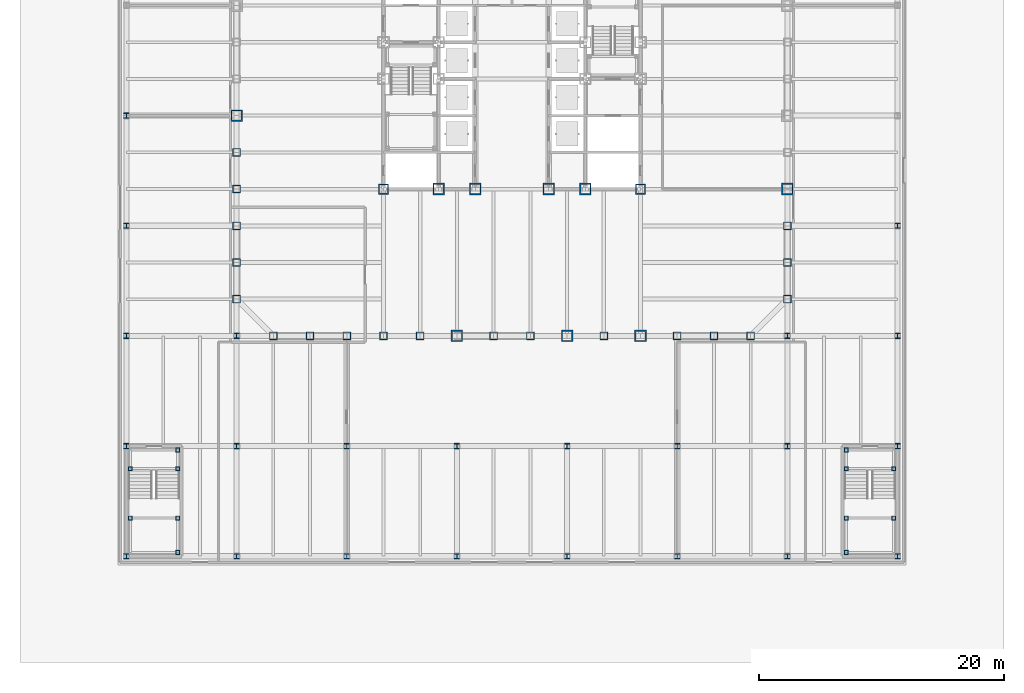
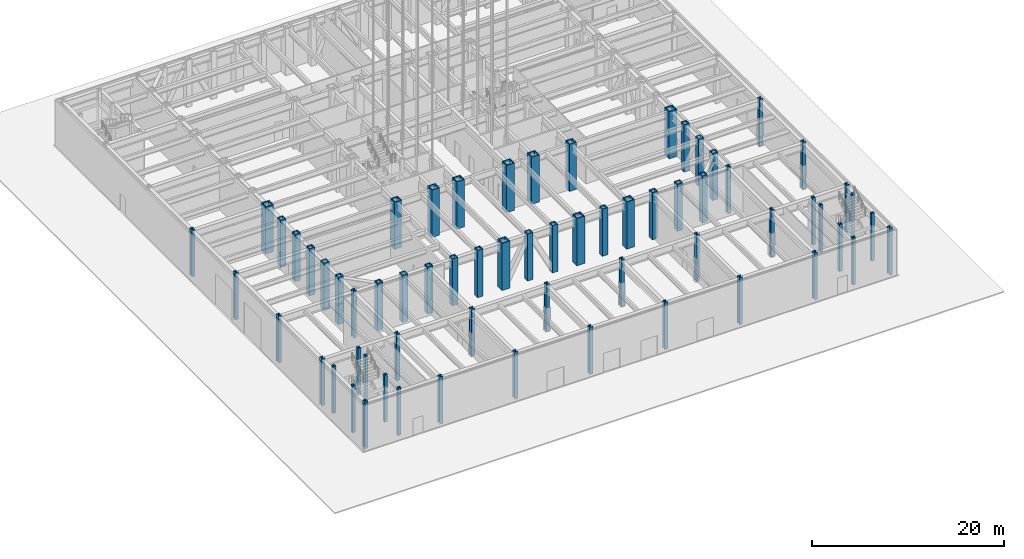
# One storey, part 1 of 35: 65 columns.
"""IFC4 building model written with IfcOpenShell, lengths in metres."""

import ifcopenshell
import ifcopenshell.guid

model = None  # the IFC model being written
_history = None  # IfcOwnerHistory: only IFC2X3 demands one
_inside = {}  # id of a spatial element -> (the spatial element, [elements in it])
_under = {}  # id of a project, library or spatial element -> (it, [spatial elements below it])
_declared = {}  # id of a project -> (the project, [libraries it declares])
_typed = {}  # id of a type object -> (the type object, [elements of that type])
_made_of = {}  # id of a material, layer set ... -> (it, [elements and type objects made of it])


def new_model(schema):
    """Start an empty IFC model of exactly this schema.

    Asked for "IFC4X3", IfcOpenShell would pick the latest addendum, in which some entities
    have other attributes; the version numbers below select the first issue.
    IFC2X3 requires an IfcOwnerHistory on every rooted entity: one is made here for all.
    """
    global model, _history
    if schema == "IFC4X3":
        model = ifcopenshell.file(schema_version=(4, 3, 0, 0))
    else:
        model = ifcopenshell.file(schema=schema)
    _inside.clear()
    _under.clear()
    _declared.clear()
    _typed.clear()
    _made_of.clear()
    _history = None
    if model.schema == "IFC2X3":
        org = make("IfcOrganization", Name="unknown")
        user = make(
            "IfcPersonAndOrganization",
            ThePerson=make("IfcPerson", FamilyName="unknown"),
            TheOrganization=org,
        )
        app = make(
            "IfcApplication",
            ApplicationDeveloper=org,
            Version="unknown",
            ApplicationFullName="unknown",
            ApplicationIdentifier="unknown",
        )
        _history = make(
            "IfcOwnerHistory",
            OwningUser=user,
            OwningApplication=app,
            ChangeAction="ADDED",
            CreationDate=0,
        )
    return model


def make(cls, **values):
    """One entity of the class cls with the attributes given. An attribute that is None is left unset."""
    return model.create_entity(
        cls, **{name: value for name, value in values.items() if value is not None}
    )


def rooted(cls, **values):
    """An entity with a GlobalId (a new one), such as an element, a storey or a relation."""
    return make(cls, GlobalId=ifcopenshell.guid.new(), OwnerHistory=_history, **values)


def si_unit(unit_type, name, prefix=None):
    """IfcSIUnit, for example si_unit("LENGTHUNIT", "METRE", prefix="MILLI")."""
    return make("IfcSIUnit", UnitType=unit_type, Prefix=prefix, Name=name)


def assignment(units):
    """IfcUnitAssignment: the units of a project."""
    return None if units is None else make("IfcUnitAssignment", Units=units)


def point(xyz):
    """IfcCartesianPoint."""
    return None if xyz is None else make("IfcCartesianPoint", Coordinates=xyz)


def direction(xyz):
    """IfcDirection."""
    return None if xyz is None else make("IfcDirection", DirectionRatios=xyz)


def frame(location, z_axis=None, x_axis=None):
    """IfcAxis2Placement3D, a coordinate frame: its origin and axes. An axis left out is left unset."""
    return make(
        "IfcAxis2Placement3D",
        Location=point(location),
        Axis=direction(z_axis),
        RefDirection=direction(x_axis),
    )


def frame_2d(location, x_axis=None):
    """IfcAxis2Placement2D, a coordinate frame in the plane: its origin and x axis."""
    return make(
        "IfcAxis2Placement2D", Location=point(location), RefDirection=direction(x_axis)
    )


def origin():
    """The frame at (0, 0, 0) with its axes left unset."""
    return frame((0.0, 0.0, 0.0))


def origin_2d():
    """The frame at (0, 0) in the plane with its x axis left unset."""
    return frame_2d((0.0, 0.0))


def place(relative_to, where):
    """IfcLocalPlacement: puts the frame where relative to a parent placement (None: the world)."""
    return make(
        "IfcLocalPlacement", PlacementRelTo=relative_to, RelativePlacement=where
    )


def context(
    kind, dimensions, precision=None, world=None, true_north=None, identifier=None
):
    """IfcGeometricRepresentationContext, for example the 3D "Model" context."""
    return make(
        "IfcGeometricRepresentationContext",
        ContextIdentifier=identifier,
        ContextType=kind,
        CoordinateSpaceDimension=dimensions,
        Precision=precision,
        WorldCoordinateSystem=world,
        TrueNorth=true_north,
    )


def subcontext(parent, identifier, kind, view, scale=None):
    """IfcGeometricRepresentationSubContext, for example "Body" below "Model"."""
    return make(
        "IfcGeometricRepresentationSubContext",
        ContextIdentifier=identifier,
        ContextType=kind,
        ParentContext=parent,
        TargetScale=scale,
        TargetView=view,
    )


def project(units=None, contexts=None):
    """IfcProject with its units and contexts."""
    return rooted(
        "IfcProject",
        Name="project",
        RepresentationContexts=contexts,
        UnitsInContext=assignment(units),
    )


def spatial(cls, under=None, at=None, **own):
    """A site, building, storey or space (cls), placed at a placement, below another one or the project."""
    s = rooted(cls, ObjectPlacement=at, **own)
    if under is not None:
        _under.setdefault(under.id(), (under, []))[1].append(s)
    return s


def profile(cls, at=None, kind="AREA", **sizes):
    """A parametric profile (cls). Its sizes go by their IFC names, for example OverallWidth=200.0."""
    return make(cls, ProfileType=kind, Position=at, **sizes)


def hollow_rectangle(**sizes):
    """IfcRectangleHollowProfileDef."""
    return profile("IfcRectangleHollowProfileDef", **sizes)


def i_section(**sizes):
    """IfcIShapeProfileDef."""
    return profile("IfcIShapeProfileDef", **sizes)


def extrude(swept, where, along, depth):
    """IfcExtrudedAreaSolid: the profile swept, set in the frame where, extruded along a direction by depth."""
    return make(
        "IfcExtrudedAreaSolid",
        SweptArea=swept,
        Position=where,
        ExtrudedDirection=direction(along),
        Depth=depth,
    )


def shape(context_of_items, identifier, shape_type, items):
    """IfcShapeRepresentation: the items that make up one representation, for example the "Body"."""
    return make(
        "IfcShapeRepresentation",
        ContextOfItems=context_of_items,
        RepresentationIdentifier=identifier,
        RepresentationType=shape_type,
        Items=items,
    )


def material(Name=None, Category=None):
    """IfcMaterial."""
    return make("IfcMaterial", Name=Name, Category=Category)


def material_profile(
    of_material, cross_section, Name=None, Category=None, Priority=None
):
    """IfcMaterialProfile: a cross section and its material."""
    return make(
        "IfcMaterialProfile",
        Name=Name,
        Material=of_material,
        Profile=cross_section,
        Priority=Priority,
        Category=Category,
    )


def profile_set(profiles, Name=None, composite=None):
    """IfcMaterialProfileSet."""
    return make(
        "IfcMaterialProfileSet",
        Name=Name,
        MaterialProfiles=profiles,
        CompositeProfile=composite,
    )


def made_of(thing, what):
    """Note that an element or type object is made of a material, layer set ...; save() writes the relation."""
    if what is not None:
        _made_of.setdefault(what.id(), (what, []))[1].append(thing)
    return thing


def type_object(cls, material=None, **own):
    """A type object (cls), such as IfcWallType, which elements share."""
    return made_of(rooted(cls, **own), material)


def element(
    cls,
    number,
    at=None,
    inside=None,
    cuts=None,
    type_object=None,
    material=None,
    context=None,
    identifier="Body",
    shape_type=None,
    held_by="IfcProductDefinitionShape",
    body=None,
    shapes=None,
    **own,
):
    """One element of the class cls, such as IfcWall. Its Tag is "e" and its number.

    at: its placement. inside: the storey or other place that contains it. cuts: it is an
    opening in that element (IfcRelVoidsElement). A single representation is given by context,
    identifier, shape_type and body (its items); several are given by shapes. held_by: the class
    of the entity that holds the representations. save() writes the other relations.
    """
    e = rooted(cls, Tag="e%d" % number, ObjectPlacement=at, **own)
    if body is not None:
        shapes = [shape(context, identifier, shape_type, body)]
    if shapes is not None:
        e.Representation = make(held_by, Representations=shapes)
    if inside is not None:
        _inside.setdefault(inside.id(), (inside, []))[1].append(e)
    if cuts is not None:
        rooted(
            "IfcRelVoidsElement", RelatingBuildingElement=cuts, RelatedOpeningElement=e
        )
    if type_object is not None:
        _typed.setdefault(type_object.id(), (type_object, []))[1].append(e)
    return made_of(e, material)


def aggregate(whole, parts):
    """IfcRelAggregates: a whole, such as a stair, and the parts it consists of."""
    return rooted("IfcRelAggregates", RelatingObject=whole, RelatedObjects=parts)


def save(model, path):
    """Write the relations noted so far, then the file.

    IfcRelAggregates (storeys below a building ...), IfcRelContainedInSpatialStructure (elements
    in a storey), IfcRelDefinesByType, IfcRelAssociatesMaterial and IfcRelDeclares: one each for
    every whole, place, type object, material and project.
    """
    for whole, parts in _under.values():
        aggregate(whole, parts)
    for where, things in _inside.values():
        rooted(
            "IfcRelContainedInSpatialStructure",
            RelatedElements=things,
            RelatingStructure=where,
        )
    for kind, things in _typed.values():
        rooted("IfcRelDefinesByType", RelatedObjects=things, RelatingType=kind)
    for what, things in _made_of.values():
        rooted("IfcRelAssociatesMaterial", RelatedObjects=things, RelatingMaterial=what)
    for by, libraries in _declared.values():
        rooted("IfcRelDeclares", RelatingContext=by, RelatedDefinitions=libraries)
    model.write(path)


model = new_model("IFC4")

# Units and contexts
model_context = context("Model", 3, precision=1e-05, world=origin(), true_north=direction((0.0, 1.0)))
body_context = subcontext(model_context, "Body", "Model", "MODEL_VIEW")
ifc_project = project(units=[si_unit("LENGTHUNIT", "METRE"), si_unit("AREAUNIT", "SQUARE_METRE"), si_unit("VOLUMEUNIT", "CUBIC_METRE"), si_unit("PLANEANGLEUNIT", "RADIAN"), si_unit("MASSUNIT", "GRAM", prefix="KILO")], contexts=[model_context])

# Site, building, storey
site_placement = place(None, origin())
site = spatial("IfcSite", under=ifc_project, at=site_placement, CompositionType="ELEMENT")
building_placement = place(site_placement, origin())
building = spatial("IfcBuilding", under=site, at=building_placement, Name="Chuquiago Exchange Tower", CompositionType="ELEMENT")
storey_placement = place(building_placement, origin())
storey = spatial("IfcBuildingStorey", under=building, at=storey_placement, Name="L00", CompositionType="ELEMENT", Elevation=0.0)

# Columns
ifc_material_1 = material(Name="Steel ASTM A572 Grade 50", Category="steel")
ifc_material_profile_1 = material_profile(ifc_material_1, hollow_rectangle(XDim=0.64990234375, YDim=0.64990234375, WallThickness=0.06494140625, at=origin_2d()), Name="BOX650X650X65")
ifc_profile_set_1 = profile_set([ifc_material_profile_1], Name="Steel ASTM A572 Grade 50")
column_type_1 = type_object("IfcColumnType", Name="C1 BOX650X650X65", PredefinedType="COLUMN", material=ifc_profile_set_1)
for number, where, z_axis, x_axis, name in (
    (1, (3.0, 0.0, 0.0), (0.0, 0.0, 1.0), (0.0, -1.0, 0.0), "COL-L00-3_0"),
    (2, (6.0, 0.0, 0.0), (0.0, 0.0, 1.0), (0.0, -1.0, 0.0), "COL-L00-6_0"),
    (3, (9.0, 0.0, 0.0), (0.0, 0.0, 1.0), (0.0, -1.0, 0.0), "COL-L00-9_0"),
    (4, (12.0, 0.0, 0.0), (0.0, 0.0, 1.0), (0.0, -1.0, 0.0), "COL-L00-12_0"),
    (5, (15.0, 0.0, 0.0), (0.0, 0.0, 1.0), (0.0, -1.0, 0.0), "COL-L00-15_0"),
    (6, (21.0, 0.0, 0.0), (0.0, 0.0, 1.0), (0.0, -1.0, 0.0), "COL-L00-21_0"),
    (7, (24.0, 0.0, 0.0), (0.0, 0.0, 1.0), (0.0, -1.0, 0.0), "COL-L00-24_0"),
    (8, (30.0, 0.0, 0.0), (0.0, 0.0, 1.0), (0.0, -1.0, 0.0), "COL-L00-30_0"),
    (9, (36.0, 0.0, 0.0), (0.0, 0.0, 1.0), (0.0, -1.0, 0.0), "COL-L00-36_0"),
    (10, (39.0, 0.0, 0.0), (0.0, 0.0, 1.0), (0.0, -1.0, 0.0), "COL-L00-39_0"),
    (11, (42.0, 0.0, 0.0), (0.0, 0.0, 1.0), (0.0, -1.0, 0.0), "COL-L00-42_0"),
    (12, (45.0, 3.0, 0.0), (0.0, 0.0, 1.0), (1.0, 0.0, 0.0), "COL-L00-45_3"),
    (13, (45.0, 6.0, 0.0), (0.0, 0.0, 1.0), (1.0, 0.0, 0.0), "COL-L00-45_6"),
    (14, (45.0, 9.0, 0.0), (0.0, 0.0, 1.0), (1.0, 0.0, 0.0), "COL-L00-45_9"),
    (15, (0.0, 15.0, 0.0), (0.0, 0.0, 1.0), (-1.0, 0.0, 0.0), "COL-L00-0_15"),
    (16, (0.0, 12.0, 0.0), (0.0, 0.0, 1.0), (-1.0, 0.0, 0.0), "COL-L00-0_12"),
    (17, (0.0, 9.0, 0.0), (0.0, 0.0, 1.0), (-1.0, 0.0, 0.0), "COL-L00-0_9"),
    (18, (0.0, 6.0, 0.0), (0.0, 0.0, 1.0), (-1.0, 0.0, 0.0), "COL-L00-0_6"),
    (19, (0.0, 3.0, 0.0), (0.0, 0.0, 1.0), (-1.0, 0.0, 0.0), "COL-L00-0_3"),
):
    element("IfcColumn", number, at=place(storey_placement, frame(where, z_axis=z_axis, x_axis=x_axis)), inside=storey, type_object=column_type_1, Name=name, PredefinedType="COLUMN", context=body_context, shape_type="SweptSolid", body=[
        extrude(hollow_rectangle(XDim=0.64990234375, YDim=0.64990234375, WallThickness=0.06494140625, at=origin_2d()), origin(), (0.0, 0.0, 1.0), 6.0),
    ])
ifc_material_2 = material(Name="Steel ASTM A572 Grade 50", Category="steel")
ifc_material_profile_2 = material_profile(ifc_material_2, hollow_rectangle(XDim=0.949951171875, YDim=0.949951171875, WallThickness=0.094970703125, at=origin_2d()), Name="BOX950X950X95")
ifc_profile_set_2 = profile_set([ifc_material_profile_2], Name="Steel ASTM A572 Grade 50")
column_type_2 = type_object("IfcColumnType", Name="CC1 BOX950X950X95", PredefinedType="COLUMN", material=ifc_profile_set_2)
for number, where, z_axis, x_axis, name in (
    (20, (16.5, 12.0, 0.0), (0.0, 0.0, 1.0), (1.0, 0.0, 0.0), "CCOL-L00-16.5_12"),
    (21, (19.5, 12.0, 0.0), (0.0, 0.0, 1.0), (1.0, 0.0, 0.0), "CCOL-L00-19.5_12"),
    (22, (25.5, 12.0, 0.0), (0.0, 0.0, 1.0), (1.0, 0.0, 0.0), "CCOL-L00-25.5_12"),
    (23, (28.5, 12.0, 0.0), (0.0, 0.0, 1.0), (1.0, 0.0, 0.0), "CCOL-L00-28.5_12"),
):
    element("IfcColumn", number, at=place(storey_placement, frame(where, z_axis=z_axis, x_axis=x_axis)), inside=storey, type_object=column_type_2, Name=name, PredefinedType="COLUMN", context=body_context, shape_type="SweptSolid", body=[
        extrude(hollow_rectangle(XDim=0.949951171875, YDim=0.949951171875, WallThickness=0.094970703125, at=origin_2d()), origin(), (0.0, 0.0, 1.0), 6.0),
    ])
ifc_material_3 = material(Name="Steel ASTM A572 Grade 50", Category="steel")
ifc_material_profile_3 = material_profile(ifc_material_3, hollow_rectangle(XDim=0.85009765625, YDim=0.85009765625, WallThickness=0.0849609375, at=origin_2d()), Name="BOX850X850X85")
ifc_profile_set_3 = profile_set([ifc_material_profile_3], Name="Steel ASTM A572 Grade 50")
column_type_3 = type_object("IfcColumnType", Name="CC6 BOX850X850X85", PredefinedType="COLUMN", material=ifc_profile_set_3)
for number, where, z_axis, x_axis, name in (
    (24, (12.0, 12.0, 0.0), (0.0, 0.0, 1.0), (1.0, 0.0, 0.0), "CCOL-L00-12_12"),
    (25, (33.0, 12.0, 0.0), (0.0, 0.0, 1.0), (1.0, 0.0, 0.0), "CCOL-L00-33_12"),
):
    element("IfcColumn", number, at=place(storey_placement, frame(where, z_axis=z_axis, x_axis=x_axis)), inside=storey, type_object=column_type_3, Name=name, PredefinedType="COLUMN", context=body_context, shape_type="SweptSolid", body=[
        extrude(hollow_rectangle(XDim=0.85009765625, YDim=0.85009765625, WallThickness=0.0849609375, at=origin_2d()), origin(), (0.0, 0.0, 1.0), 6.0),
    ])
ifc_material_4 = material(Name="Steel ASTM A572 Grade 42", Category="steel")
ifc_material_profile_4 = material_profile(ifc_material_4, hollow_rectangle(XDim=0.949951171875, YDim=0.949951171875, WallThickness=0.110107421875, at=origin_2d()), Name="BOX950X950X110")
ifc_profile_set_4 = profile_set([ifc_material_profile_4], Name="Steel ASTM A572 Grade 42")
column_type_4 = type_object("IfcColumnType", Name="CT1 BOX950X950X110", PredefinedType="COLUMN", material=ifc_profile_set_4)
for number, where, z_axis, x_axis, name in (
    (26, (18.0, 0.0, 0.0), (0.0, 0.0, 1.0), (0.0, -1.0, 0.0), "COL-L00-18_0"),
    (27, (27.0, 0.0, 0.0), (0.0, 0.0, 1.0), (0.0, -1.0, 0.0), "COL-L00-27_0"),
    (28, (33.0, 0.0, 0.0), (0.0, 0.0, 1.0), (0.0, -1.0, 0.0), "COL-L00-33_0"),
    (29, (45.0, 12.0, 0.0), (0.0, 0.0, 1.0), (1.0, 0.0, 0.0), "COL-L00-45_12"),
    (30, (0.0, 18.0, 0.0), (0.0, 0.0, 1.0), (-1.0, 0.0, 0.0), "COL-L00-0_18"),
):
    element("IfcColumn", number, at=place(storey_placement, frame(where, z_axis=z_axis, x_axis=x_axis)), inside=storey, type_object=column_type_4, Name=name, PredefinedType="COLUMN", context=body_context, shape_type="SweptSolid", body=[
        extrude(hollow_rectangle(XDim=0.949951171875, YDim=0.949951171875, WallThickness=0.110107421875, at=origin_2d()), origin(), (0.0, 0.0, 1.0), 6.0),
    ])
ifc_material_5 = material(Name="Steel ASTM A992", Category="steel")
ifc_material_profile_5 = material_profile(ifc_material_5, i_section(OverallWidth=0.411376953125, OverallDepth=0.434326171875, WebThickness=0.035888671875, FlangeThickness=0.057373046875, at=origin_2d()), Name="W14X311")
ifc_profile_set_5 = profile_set([ifc_material_profile_5], Name="Steel ASTM A992")
column_type_5 = type_object("IfcColumnType", Name="PC1 W14X311", PredefinedType="COLUMN", material=ifc_profile_set_5)
for number, where, z_axis, x_axis, name in (
    (31, (-9.0, -18.0, 0.0), (0.0, 0.0, 1.0), (1.0, 0.0, 0.0), "PCOL-L00--9_-18"),
    (32, (-9.0, -9.0, 0.0), (0.0, 0.0, 1.0), (1.0, 0.0, 0.0), "PCOL-L00--9_-9"),
    (33, (-9.0, 0.0, 0.0), (0.0, 0.0, 1.0), (1.0, 0.0, 0.0), "PCOL-L00--9_0"),
    (34, (-9.0, 9.0, 0.0), (0.0, 0.0, 1.0), (1.0, 0.0, 0.0), "PCOL-L00--9_9"),
    (35, (-9.0, 18.0, 0.0), (0.0, 0.0, 1.0), (1.0, 0.0, 0.0), "PCOL-L00--9_18"),
    (36, (0.0, -18.0, 0.0), (0.0, 0.0, 1.0), (1.0, 0.0, 0.0), "PCOL-L00-0_-18"),
    (37, (0.0, -9.0, 0.0), (0.0, 0.0, 1.0), (1.0, 0.0, 0.0), "PCOL-L00-0_-9"),
    (38, (0.0, 0.0, 0.0), (0.0, 0.0, 1.0), (1.0, 0.0, 0.0), "PCOL-L00-0_0"),
    (39, (9.0, -18.0, 0.0), (0.0, 0.0, 1.0), (1.0, 0.0, 0.0), "PCOL-L00-9_-18"),
    (40, (9.0, -9.0, 0.0), (0.0, 0.0, 1.0), (1.0, 0.0, 0.0), "PCOL-L00-9_-9"),
    (41, (18.0, -18.0, 0.0), (0.0, 0.0, 1.0), (1.0, 0.0, 0.0), "PCOL-L00-18_-18"),
    (42, (18.0, -9.0, 0.0), (0.0, 0.0, 1.0), (1.0, 0.0, 0.0), "PCOL-L00-18_-9"),
    (43, (27.0, -18.0, 0.0), (0.0, 0.0, 1.0), (1.0, 0.0, 0.0), "PCOL-L00-27_-18"),
    (44, (27.0, -9.0, 0.0), (0.0, 0.0, 1.0), (1.0, 0.0, 0.0), "PCOL-L00-27_-9"),
    (45, (36.0, -18.0, 0.0), (0.0, 0.0, 1.0), (1.0, 0.0, 0.0), "PCOL-L00-36_-18"),
    (46, (36.0, -9.0, 0.0), (0.0, 0.0, 1.0), (1.0, 0.0, 0.0), "PCOL-L00-36_-9"),
    (47, (45.0, -18.0, 0.0), (0.0, 0.0, 1.0), (1.0, 0.0, 0.0), "PCOL-L00-45_-18"),
    (48, (45.0, -9.0, 0.0), (0.0, 0.0, 1.0), (1.0, 0.0, 0.0), "PCOL-L00-45_-9"),
    (49, (45.0, 0.0, 0.0), (0.0, 0.0, 1.0), (1.0, 0.0, 0.0), "PCOL-L00-45_0"),
    (50, (54.0, -18.0, 0.0), (0.0, 0.0, 1.0), (1.0, 0.0, 0.0), "PCOL-L00-54_-18"),
    (51, (54.0, -9.0, 0.0), (0.0, 0.0, 1.0), (1.0, 0.0, 0.0), "PCOL-L00-54_-9"),
    (52, (54.0, 0.0, 0.0), (0.0, 0.0, 1.0), (1.0, 0.0, 0.0), "PCOL-L00-54_0"),
    (53, (54.0, 9.0, 0.0), (0.0, 0.0, 1.0), (1.0, 0.0, 0.0), "PCOL-L00-54_9"),
):
    element("IfcColumn", number, at=place(storey_placement, frame(where, z_axis=z_axis, x_axis=x_axis)), inside=storey, type_object=column_type_5, Name=name, PredefinedType="COLUMN", context=body_context, shape_type="SweptSolid", body=[
        extrude(i_section(OverallWidth=0.411376953125, OverallDepth=0.434326171875, WebThickness=0.035888671875, FlangeThickness=0.057373046875, at=origin_2d()), origin(), (0.0, 0.0, 1.0), 6.0),
    ])
ifc_material_6 = material(Name="Steel ASTM A572 Grade 50", Category="steel")
ifc_material_profile_6 = material_profile(ifc_material_6, hollow_rectangle(XDim=0.35009765625, YDim=0.35009765625, WallThickness=0.034912109375, at=origin_2d()), Name="BOX350X350X35")
ifc_profile_set_6 = profile_set([ifc_material_profile_6], Name="Steel ASTM A572 Grade 50")
column_type_6 = type_object("IfcColumnType", Name="PT3 BOX350X350X35", PredefinedType="COLUMN", material=ifc_profile_set_6)
for number, where, z_axis, x_axis, name in (
    (54, (-4.81005859375, -17.68994140625, 0.0), (0.0, 0.0, 1.0), (1.0, 0.0, 0.0), "Stair PS1 L00 landing post"),
    (55, (-8.68994140625, -14.889892578125, 0.0), (0.0, 0.0, 1.0), (1.0, 0.0, 0.0), "Stair PS1 L00 landing post"),
    (56, (-4.81005859375, -14.889892578125, 0.0), (0.0, 0.0, 1.0), (1.0, 0.0, 0.0), "Stair PS1 L00 landing post"),
    (57, (-8.68994140625, -10.85009765625, 0.0), (0.0, 0.0, 1.0), (1.0, 0.0, 0.0), "Stair PS1 L00 landing post"),
    (58, (-4.81005859375, -10.85009765625, 0.0), (0.0, 0.0, 1.0), (1.0, 0.0, 0.0), "Stair PS1 L00 landing post"),
    (59, (-4.81005859375, -9.31005859375, 0.0), (0.0, 0.0, 1.0), (1.0, 0.0, 0.0), "Stair PS1 L00 landing post"),
    (60, (49.81005859375, -17.68994140625, 0.0), (0.0, 0.0, 1.0), (1.0, 0.0, 0.0), "Stair PS2 L00 landing post"),
    (61, (49.81005859375, -14.889892578125, 0.0), (0.0, 0.0, 1.0), (1.0, 0.0, 0.0), "Stair PS2 L00 landing post"),
    (62, (53.68994140625, -14.889892578125, 0.0), (0.0, 0.0, 1.0), (1.0, 0.0, 0.0), "Stair PS2 L00 landing post"),
    (63, (49.81005859375, -10.85009765625, 0.0), (0.0, 0.0, 1.0), (1.0, 0.0, 0.0), "Stair PS2 L00 landing post"),
    (64, (53.68994140625, -10.85009765625, 0.0), (0.0, 0.0, 1.0), (1.0, 0.0, 0.0), "Stair PS2 L00 landing post"),
    (65, (49.81005859375, -9.31005859375, 0.0), (0.0, 0.0, 1.0), (1.0, 0.0, 0.0), "Stair PS2 L00 landing post"),
):
    element("IfcColumn", number, at=place(storey_placement, frame(where, z_axis=z_axis, x_axis=x_axis)), inside=storey, type_object=column_type_6, Name=name, PredefinedType="COLUMN", context=body_context, shape_type="SweptSolid", body=[
        extrude(hollow_rectangle(XDim=0.35009765625, YDim=0.35009765625, WallThickness=0.034912109375, at=origin_2d()), origin(), (0.0, 0.0, 1.0), 6.0),
    ])

save(model, "model.ifc")
